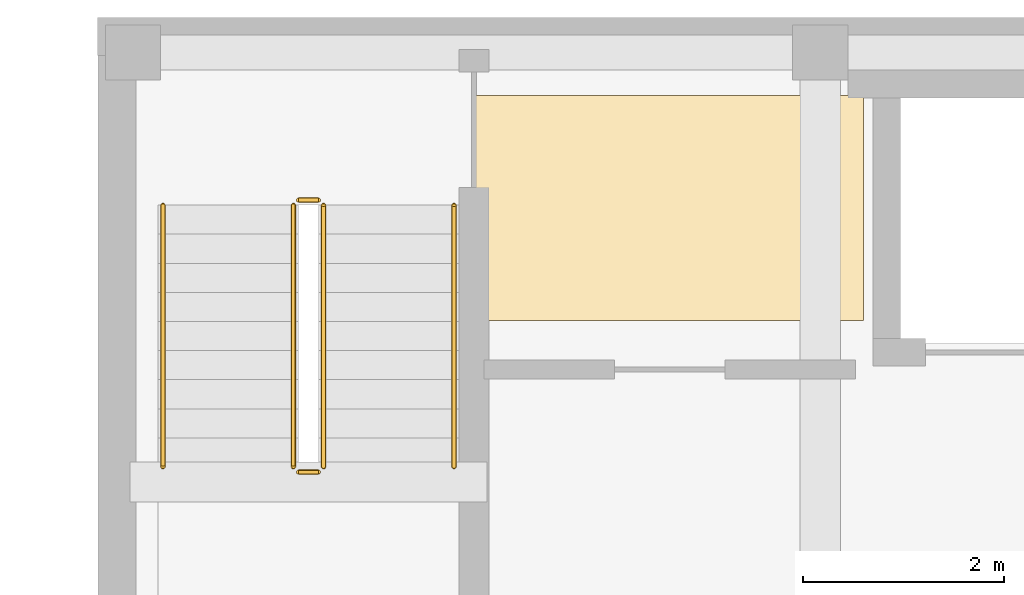
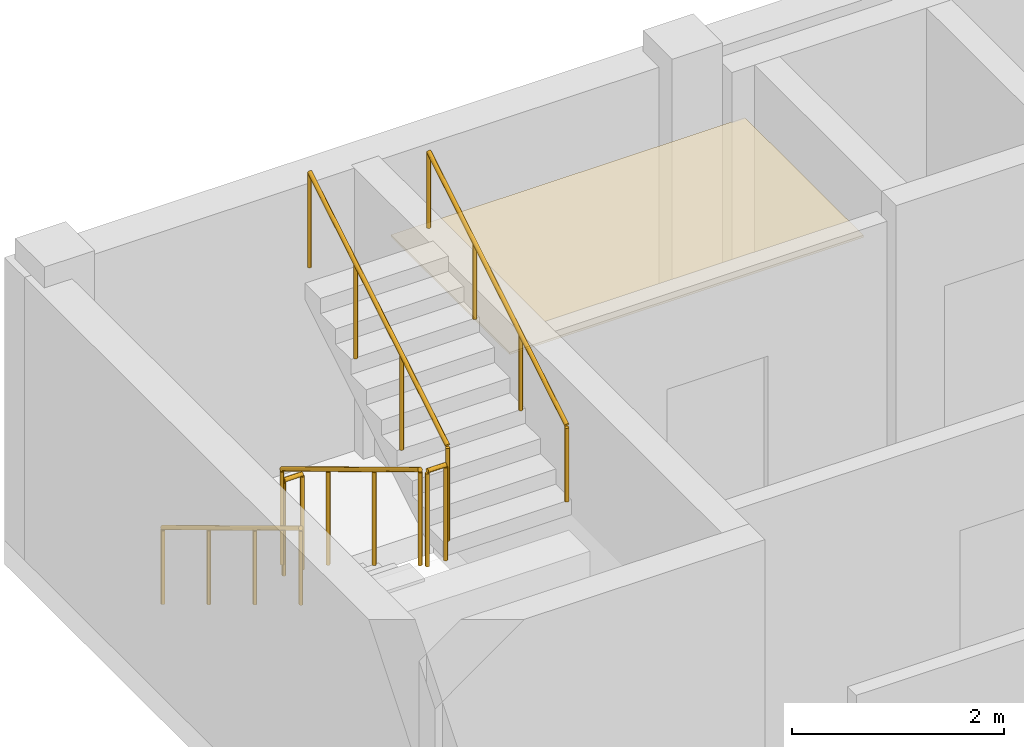
# One storey, part 62 of 73: 6 railings, 1 covering.
"""IFC4 building model written with IfcOpenShell, lengths in metres."""

from ifc_helpers import new_model, si_unit, derived_unit, direction, frame, origin, origin_2d, place, context, subcontext, project, spatial, polyline, circle, outline, extrude, material, layer, layer_set, type_object, element, save


model = new_model("IFC4")

# Units and contexts
model_context = context("Model", 3, precision=1e-05, world=origin(), true_north=direction((0.0, 1.0)))
body_context = subcontext(model_context, "Body", "Model", "MODEL_VIEW")
ifc_project = project(units=[si_unit("LENGTHUNIT", "METRE"), si_unit("AREAUNIT", "SQUARE_METRE"), si_unit("VOLUMEUNIT", "CUBIC_METRE"), si_unit("PLANEANGLEUNIT", "RADIAN"), si_unit("MASSUNIT", "GRAM", prefix="KILO"), derived_unit("THERMALTRANSMITTANCEUNIT", [(si_unit("MASSUNIT", "GRAM", prefix="KILO"), 1), (si_unit("TIMEUNIT", "SECOND"), -3), (si_unit("THERMODYNAMICTEMPERATUREUNIT", "KELVIN"), -1)])], contexts=[model_context])

# Site, building, storey
site_placement = place(None, origin())
site = spatial("IfcSite", under=ifc_project, at=site_placement, CompositionType="ELEMENT")
building_placement = place(site_placement, origin())
building = spatial("IfcBuilding", under=site, at=building_placement, Name="Ochrekiln Boulevard Commons", CompositionType="ELEMENT")
storey_placement = place(building_placement, frame((0.0, 0.0, 8.574951171875)))
storey = spatial("IfcBuildingStorey", under=building, at=storey_placement, Name="L02", CompositionType="ELEMENT", Elevation=8.574951171875)

# Covering
ifc_material_1 = material(Name="Mineral-fibre acoustic ceiling tile")
ifc_layer = layer(ifc_material_1, 0.02490234375)
ifc_layer_set = layer_set([ifc_layer], Name="Mineral-fibre acoustic ceiling tile")
covering_type = type_object("IfcCoveringType", Name="COV-CEIL-AC", PredefinedType="CEILING", material=ifc_layer_set)
covering_placement = place(storey_placement, frame((0.0, 0.0, 2.650146484375)))
element("IfcCovering", 1, at=covering_placement, inside=storey, type_object=covering_type, Name="L02 Acoustic Corridor Ceiling 37", PredefinedType="CEILING", context=body_context, shape_type="SweptSolid", body=[
    extrude(outline(polyline([(111.77001953125, 18.580078125), (115.6298828125, 18.580078125), (115.6298828125, 20.820068359375), (111.77001953125, 20.820068359375), (111.77001953125, 18.580078125)])), origin(), (0.0, 0.0, 1.0), 0.02490234375),
])

# Railings
ifc_material_2 = material(Name="Brushed stainless steel 316 tubular railing", Category="steel")
railing_type_1 = type_object("IfcRailingType", Name="RLG-HDR-900", PredefinedType="HANDRAIL", material=ifc_material_2)
railing_1_placement = place(storey_placement, frame((108.64990234375, 19.72998046875, 0.175048828125)))
element("IfcRailing", 2, at=railing_1_placement, inside=storey, type_object=railing_type_1, Name="L02 ST-E1 stair handrail 1", PredefinedType="HANDRAIL", context=body_context, shape_type="SweptSolid", body=[
    extrude(circle(Radius=0.02392578125, at=origin_2d()), frame((0.0, 0.0, 0.8759765625), z_axis=(0.0, -0.85618277418, 0.516673066065), x_axis=(1.0, 0.0, 0.0)), (0.0, 0.0, 1.0), 3.04833984375),
    extrude(circle(Radius=0.02099609375, at=origin_2d()), origin(), (0.0, 0.0, 1.0), 0.851806640625),
    extrude(circle(Radius=0.02099609375, at=origin_2d()), frame((0.0, -0.869873046875, 0.52490234375)), (0.0, 0.0, 1.0), 0.851806640625),
    extrude(circle(Radius=0.02099609375, at=origin_2d()), frame((0.0, -1.739990234375, 1.050048828125)), (0.0, 0.0, 1.0), 0.851806640625),
    extrude(circle(Radius=0.02099609375, at=origin_2d()), frame((0.0, -2.60986328125, 1.574951171875)), (0.0, 0.0, 1.0), 0.851806640625),
])
railing_2_placement = place(storey_placement, frame((111.550048828125, 17.1201171875, 1.925048828125)))
element("IfcRailing", 3, at=railing_2_placement, inside=storey, type_object=railing_type_1, Name="L02 ST-E1 stair handrail 2", PredefinedType="HANDRAIL", context=body_context, shape_type="SweptSolid", body=[
    extrude(circle(Radius=0.02392578125, at=origin_2d()), frame((0.0, 0.0, 0.8759765625), z_axis=(0.0, 0.85618277418, 0.516673066065), x_axis=(-1.0, 0.0, 0.0)), (0.0, 0.0, 1.0), 3.04833984375),
    extrude(circle(Radius=0.02099609375, at=origin_2d()), origin(), (0.0, 0.0, 1.0), 0.851806640625),
    extrude(circle(Radius=0.02099609375, at=origin_2d()), frame((0.0, 0.869873046875, 0.52490234375)), (0.0, 0.0, 1.0), 0.851806640625),
    extrude(circle(Radius=0.02099609375, at=origin_2d()), frame((0.0, 1.739990234375, 1.050048828125)), (0.0, 0.0, 1.0), 0.851806640625),
    extrude(circle(Radius=0.02099609375, at=origin_2d()), frame((0.0, 2.60986328125, 1.574951171875)), (0.0, 0.0, 1.0), 0.851806640625),
])
railing_type_2 = type_object("IfcRailingType", Name="RLG-STR-1120", PredefinedType="BALUSTRADE", material=ifc_material_2)
railing_3_placement = place(storey_placement, frame((109.949951171875, 19.72998046875, 0.175048828125)))
element("IfcRailing", 4, at=railing_3_placement, inside=storey, type_object=railing_type_2, Name="L02 ST-E1 stair guard 1", PredefinedType="BALUSTRADE", context=body_context, shape_type="SweptSolid", body=[
    extrude(circle(Radius=0.02392578125, at=origin_2d()), frame((0.0, 0.0, 1.09619140625), z_axis=(0.0, -0.85618277418, 0.516673066065), x_axis=(1.0, 0.0, 0.0)), (0.0, 0.0, 1.0), 3.04833984375),
    extrude(circle(Radius=0.02099609375, at=origin_2d()), origin(), (0.0, 0.0, 1.0), 1.072021484375),
    extrude(circle(Radius=0.02099609375, at=origin_2d()), frame((0.0, -0.869873046875, 0.52490234375)), (0.0, 0.0, 1.0), 1.072021484375),
    extrude(circle(Radius=0.02099609375, at=origin_2d()), frame((0.0, -1.739990234375, 1.050048828125)), (0.0, 0.0, 1.0), 1.072021484375),
    extrude(circle(Radius=0.02099609375, at=origin_2d()), frame((0.0, -2.60986328125, 1.574951171875)), (0.0, 0.0, 1.0), 1.072021484375),
])
railing_4_placement = place(storey_placement, frame((110.0, 17.070068359375, 1.75)))
element("IfcRailing", 5, at=railing_4_placement, inside=storey, type_object=railing_type_2, Name="L02 ST-E1 stair guard 2", PredefinedType="BALUSTRADE", context=body_context, shape_type="SweptSolid", body=[
    extrude(circle(Radius=0.02392578125, at=origin_2d()), frame((0.0, 0.0, 1.09619140625), z_axis=(1.0, 0.0, 0.0), x_axis=(0.0, 1.0, 0.0)), (0.0, 0.0, 1.0), 0.199951171875),
    extrude(circle(Radius=0.02099609375, at=origin_2d()), origin(), (0.0, 0.0, 1.0), 1.072021484375),
    extrude(circle(Radius=0.02099609375, at=origin_2d()), frame((0.199951171875, 0.0, 0.0)), (0.0, 0.0, 1.0), 1.072021484375),
])
railing_5_placement = place(storey_placement, frame((110.25, 17.1201171875, 1.925048828125)))
element("IfcRailing", 6, at=railing_5_placement, inside=storey, type_object=railing_type_2, Name="L02 ST-E1 stair guard 3", PredefinedType="BALUSTRADE", context=body_context, shape_type="SweptSolid", body=[
    extrude(circle(Radius=0.02392578125, at=origin_2d()), frame((0.0, 0.0, 1.09619140625), z_axis=(0.0, 0.85618277418, 0.516673066065), x_axis=(-1.0, 0.0, 0.0)), (0.0, 0.0, 1.0), 3.04833984375),
    extrude(circle(Radius=0.02099609375, at=origin_2d()), origin(), (0.0, 0.0, 1.0), 1.072021484375),
    extrude(circle(Radius=0.02099609375, at=origin_2d()), frame((0.0, 0.869873046875, 0.52490234375)), (0.0, 0.0, 1.0), 1.072021484375),
    extrude(circle(Radius=0.02099609375, at=origin_2d()), frame((0.0, 1.739990234375, 1.050048828125)), (0.0, 0.0, 1.0), 1.072021484375),
    extrude(circle(Radius=0.02099609375, at=origin_2d()), frame((0.0, 2.60986328125, 1.574951171875)), (0.0, 0.0, 1.0), 1.072021484375),
])
railing_6_placement = place(storey_placement, frame((110.0, 19.780029296875, 0.0)))
element("IfcRailing", 7, at=railing_6_placement, inside=storey, type_object=railing_type_2, Name="L02 ST-E1 stair guard 4", PredefinedType="BALUSTRADE", context=body_context, shape_type="SweptSolid", body=[
    extrude(circle(Radius=0.02392578125, at=origin_2d()), frame((0.0, 0.0, 1.09619140625), z_axis=(1.0, 0.0, 0.0), x_axis=(0.0, 1.0, 0.0)), (0.0, 0.0, 1.0), 0.199951171875),
    extrude(circle(Radius=0.02099609375, at=origin_2d()), origin(), (0.0, 0.0, 1.0), 1.072021484375),
    extrude(circle(Radius=0.02099609375, at=origin_2d()), frame((0.199951171875, 0.0, 0.0)), (0.0, 0.0, 1.0), 1.072021484375),
])

save(model, "model.ifc")
